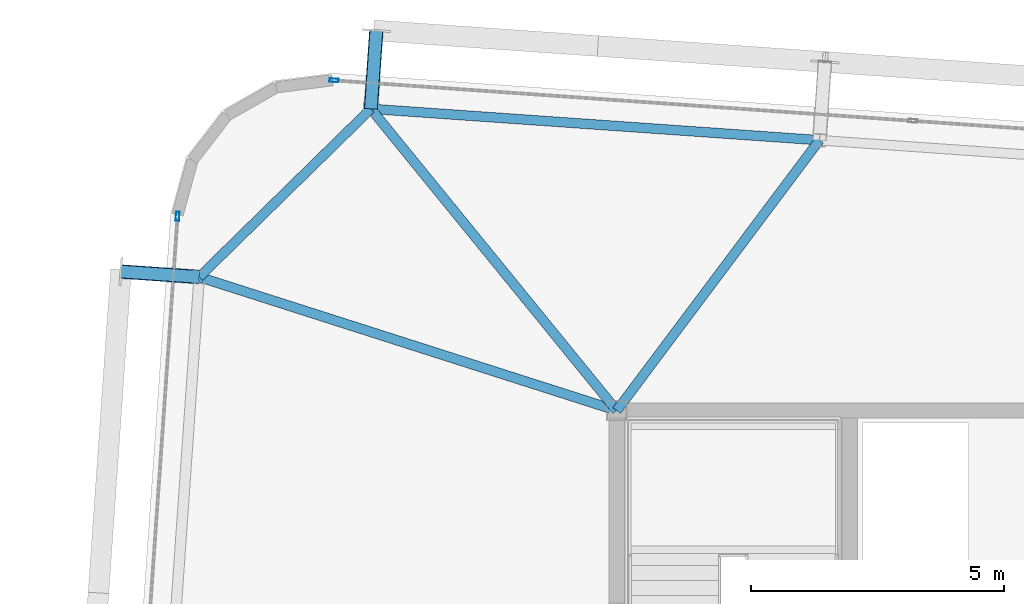
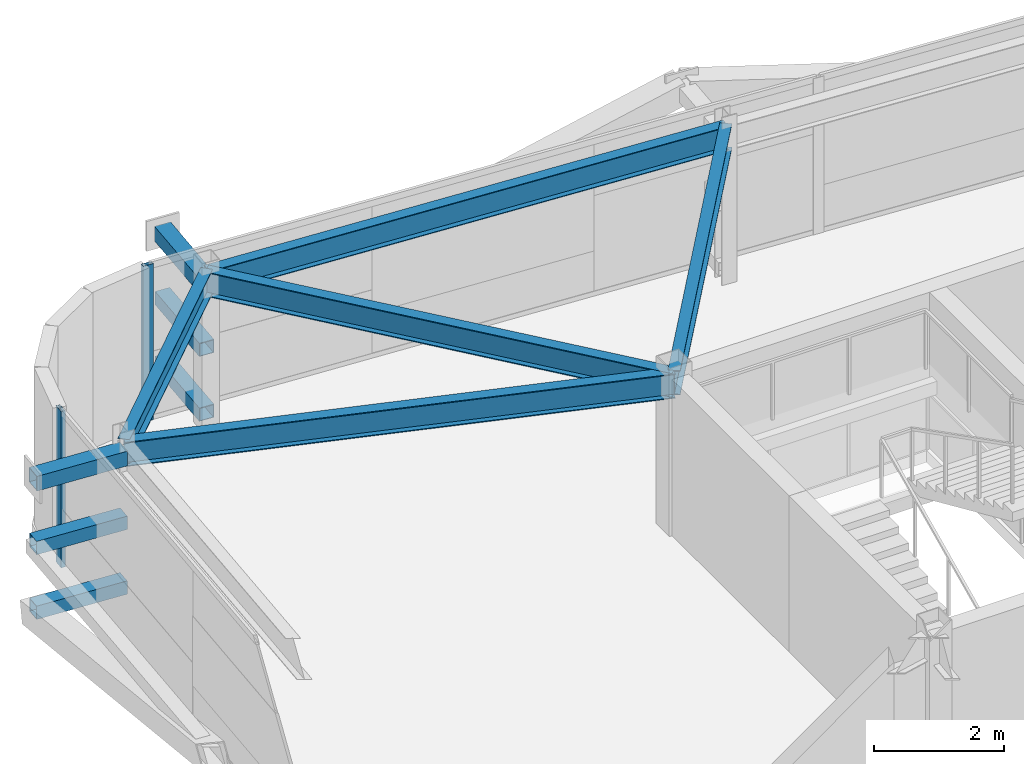
# One storey, part 19 of 39: 8 members, 5 beams, 2 elements without a shape of their own.
"""IFC4 building model written with IfcOpenShell, lengths in metres."""

import ifcopenshell
import ifcopenshell.guid

model = None  # the IFC model being written
_history = None  # IfcOwnerHistory: only IFC2X3 demands one
_inside = {}  # id of a spatial element -> (the spatial element, [elements in it])
_under = {}  # id of a project, library or spatial element -> (it, [spatial elements below it])
_declared = {}  # id of a project -> (the project, [libraries it declares])
_typed = {}  # id of a type object -> (the type object, [elements of that type])
_made_of = {}  # id of a material, layer set ... -> (it, [elements and type objects made of it])


def new_model(schema):
    """Start an empty IFC model of exactly this schema.

    Asked for "IFC4X3", IfcOpenShell would pick the latest addendum, in which some entities
    have other attributes; the version numbers below select the first issue.
    IFC2X3 requires an IfcOwnerHistory on every rooted entity: one is made here for all.
    """
    global model, _history
    if schema == "IFC4X3":
        model = ifcopenshell.file(schema_version=(4, 3, 0, 0))
    else:
        model = ifcopenshell.file(schema=schema)
    _inside.clear()
    _under.clear()
    _declared.clear()
    _typed.clear()
    _made_of.clear()
    _history = None
    if model.schema == "IFC2X3":
        org = make("IfcOrganization", Name="unknown")
        user = make(
            "IfcPersonAndOrganization",
            ThePerson=make("IfcPerson", FamilyName="unknown"),
            TheOrganization=org,
        )
        app = make(
            "IfcApplication",
            ApplicationDeveloper=org,
            Version="unknown",
            ApplicationFullName="unknown",
            ApplicationIdentifier="unknown",
        )
        _history = make(
            "IfcOwnerHistory",
            OwningUser=user,
            OwningApplication=app,
            ChangeAction="ADDED",
            CreationDate=0,
        )
    return model


def make(cls, **values):
    """One entity of the class cls with the attributes given. An attribute that is None is left unset."""
    return model.create_entity(
        cls, **{name: value for name, value in values.items() if value is not None}
    )


def rooted(cls, **values):
    """An entity with a GlobalId (a new one), such as an element, a storey or a relation."""
    return make(cls, GlobalId=ifcopenshell.guid.new(), OwnerHistory=_history, **values)


def si_unit(unit_type, name, prefix=None):
    """IfcSIUnit, for example si_unit("LENGTHUNIT", "METRE", prefix="MILLI")."""
    return make("IfcSIUnit", UnitType=unit_type, Prefix=prefix, Name=name)


def assignment(units):
    """IfcUnitAssignment: the units of a project."""
    return None if units is None else make("IfcUnitAssignment", Units=units)


def point(xyz):
    """IfcCartesianPoint."""
    return None if xyz is None else make("IfcCartesianPoint", Coordinates=xyz)


def direction(xyz):
    """IfcDirection."""
    return None if xyz is None else make("IfcDirection", DirectionRatios=xyz)


def frame(location, z_axis=None, x_axis=None):
    """IfcAxis2Placement3D, a coordinate frame: its origin and axes. An axis left out is left unset."""
    return make(
        "IfcAxis2Placement3D",
        Location=point(location),
        Axis=direction(z_axis),
        RefDirection=direction(x_axis),
    )


def frame_2d(location, x_axis=None):
    """IfcAxis2Placement2D, a coordinate frame in the plane: its origin and x axis."""
    return make(
        "IfcAxis2Placement2D", Location=point(location), RefDirection=direction(x_axis)
    )


def origin():
    """The frame at (0, 0, 0) with its axes left unset."""
    return frame((0.0, 0.0, 0.0))


def origin_2d():
    """The frame at (0, 0) in the plane with its x axis left unset."""
    return frame_2d((0.0, 0.0))


def place(relative_to, where):
    """IfcLocalPlacement: puts the frame where relative to a parent placement (None: the world)."""
    return make(
        "IfcLocalPlacement", PlacementRelTo=relative_to, RelativePlacement=where
    )


def context(
    kind, dimensions, precision=None, world=None, true_north=None, identifier=None
):
    """IfcGeometricRepresentationContext, for example the 3D "Model" context."""
    return make(
        "IfcGeometricRepresentationContext",
        ContextIdentifier=identifier,
        ContextType=kind,
        CoordinateSpaceDimension=dimensions,
        Precision=precision,
        WorldCoordinateSystem=world,
        TrueNorth=true_north,
    )


def subcontext(parent, identifier, kind, view, scale=None):
    """IfcGeometricRepresentationSubContext, for example "Body" below "Model"."""
    return make(
        "IfcGeometricRepresentationSubContext",
        ContextIdentifier=identifier,
        ContextType=kind,
        ParentContext=parent,
        TargetScale=scale,
        TargetView=view,
    )


def project(units=None, contexts=None):
    """IfcProject with its units and contexts."""
    return rooted(
        "IfcProject",
        Name="project",
        RepresentationContexts=contexts,
        UnitsInContext=assignment(units),
    )


def spatial(cls, under=None, at=None, **own):
    """A site, building, storey or space (cls), placed at a placement, below another one or the project."""
    s = rooted(cls, ObjectPlacement=at, **own)
    if under is not None:
        _under.setdefault(under.id(), (under, []))[1].append(s)
    return s


def profile(cls, at=None, kind="AREA", **sizes):
    """A parametric profile (cls). Its sizes go by their IFC names, for example OverallWidth=200.0."""
    return make(cls, ProfileType=kind, Position=at, **sizes)


def hollow_rectangle(**sizes):
    """IfcRectangleHollowProfileDef."""
    return profile("IfcRectangleHollowProfileDef", **sizes)


def i_section(**sizes):
    """IfcIShapeProfileDef."""
    return profile("IfcIShapeProfileDef", **sizes)


def extrude(swept, where, along, depth):
    """IfcExtrudedAreaSolid: the profile swept, set in the frame where, extruded along a direction by depth."""
    return make(
        "IfcExtrudedAreaSolid",
        SweptArea=swept,
        Position=where,
        ExtrudedDirection=direction(along),
        Depth=depth,
    )


def shape(context_of_items, identifier, shape_type, items):
    """IfcShapeRepresentation: the items that make up one representation, for example the "Body"."""
    return make(
        "IfcShapeRepresentation",
        ContextOfItems=context_of_items,
        RepresentationIdentifier=identifier,
        RepresentationType=shape_type,
        Items=items,
    )


def source(mapping_origin, context_of_items, identifier, shape_type, items):
    """IfcRepresentationMap: a shape defined once, which mapped items show again and again."""
    return make(
        "IfcRepresentationMap",
        MappingOrigin=mapping_origin,
        MappedRepresentation=shape(context_of_items, identifier, shape_type, items),
    )


def transform(
    local_origin,
    x_axis=None,
    y_axis=None,
    z_axis=None,
    scale=None,
    scale2=None,
    scale3=None,
    uniform=True,
):
    """IfcCartesianTransformationOperator3D, or its non-uniform kind. x_axis, y_axis, z_axis: its Axis1, 2, 3."""
    if uniform:
        return make(
            "IfcCartesianTransformationOperator3D",
            Axis1=direction(x_axis),
            Axis2=direction(y_axis),
            LocalOrigin=point(local_origin),
            Scale=scale,
            Axis3=direction(z_axis),
        )
    return make(
        "IfcCartesianTransformationOperator3DnonUniform",
        Axis1=direction(x_axis),
        Axis2=direction(y_axis),
        LocalOrigin=point(local_origin),
        Scale=scale,
        Axis3=direction(z_axis),
        Scale2=scale2,
        Scale3=scale3,
    )


def mapped(mapping_source, mapping_target):
    """IfcMappedItem: shows the shape of a source again, moved by a transform."""
    return make(
        "IfcMappedItem", MappingSource=mapping_source, MappingTarget=mapping_target
    )


def material(Name=None, Category=None):
    """IfcMaterial."""
    return make("IfcMaterial", Name=Name, Category=Category)


def layer(
    of_material, thickness, ventilated=None, Name=None, Category=None, Priority=None
):
    """IfcMaterialLayer: one layer of a wall or slab, of a material (None: an air gap)."""
    return make(
        "IfcMaterialLayer",
        Material=of_material,
        LayerThickness=thickness,
        IsVentilated=ventilated,
        Name=Name,
        Category=Category,
        Priority=Priority,
    )


def layer_set(layers, Name=None):
    """IfcMaterialLayerSet."""
    return make("IfcMaterialLayerSet", MaterialLayers=layers, LayerSetName=Name)


def material_profile(
    of_material, cross_section, Name=None, Category=None, Priority=None
):
    """IfcMaterialProfile: a cross section and its material."""
    return make(
        "IfcMaterialProfile",
        Name=Name,
        Material=of_material,
        Profile=cross_section,
        Priority=Priority,
        Category=Category,
    )


def profile_set(profiles, Name=None, composite=None):
    """IfcMaterialProfileSet."""
    return make(
        "IfcMaterialProfileSet",
        Name=Name,
        MaterialProfiles=profiles,
        CompositeProfile=composite,
    )


def made_of(thing, what):
    """Note that an element or type object is made of a material, layer set ...; save() writes the relation."""
    if what is not None:
        _made_of.setdefault(what.id(), (what, []))[1].append(thing)
    return thing


def type_object(cls, material=None, **own):
    """A type object (cls), such as IfcWallType, which elements share."""
    return made_of(rooted(cls, **own), material)


def element(
    cls,
    number,
    at=None,
    inside=None,
    cuts=None,
    type_object=None,
    material=None,
    context=None,
    identifier="Body",
    shape_type=None,
    held_by="IfcProductDefinitionShape",
    body=None,
    shapes=None,
    **own,
):
    """One element of the class cls, such as IfcWall. Its Tag is "e" and its number.

    at: its placement. inside: the storey or other place that contains it. cuts: it is an
    opening in that element (IfcRelVoidsElement). A single representation is given by context,
    identifier, shape_type and body (its items); several are given by shapes. held_by: the class
    of the entity that holds the representations. save() writes the other relations.
    """
    e = rooted(cls, Tag="e%d" % number, ObjectPlacement=at, **own)
    if body is not None:
        shapes = [shape(context, identifier, shape_type, body)]
    if shapes is not None:
        e.Representation = make(held_by, Representations=shapes)
    if inside is not None:
        _inside.setdefault(inside.id(), (inside, []))[1].append(e)
    if cuts is not None:
        rooted(
            "IfcRelVoidsElement", RelatingBuildingElement=cuts, RelatedOpeningElement=e
        )
    if type_object is not None:
        _typed.setdefault(type_object.id(), (type_object, []))[1].append(e)
    return made_of(e, material)


def aggregate(whole, parts):
    """IfcRelAggregates: a whole, such as a stair, and the parts it consists of."""
    return rooted("IfcRelAggregates", RelatingObject=whole, RelatedObjects=parts)


def save(model, path):
    """Write the relations noted so far, then the file.

    IfcRelAggregates (storeys below a building ...), IfcRelContainedInSpatialStructure (elements
    in a storey), IfcRelDefinesByType, IfcRelAssociatesMaterial and IfcRelDeclares: one each for
    every whole, place, type object, material and project.
    """
    for whole, parts in _under.values():
        aggregate(whole, parts)
    for where, things in _inside.values():
        rooted(
            "IfcRelContainedInSpatialStructure",
            RelatedElements=things,
            RelatingStructure=where,
        )
    for kind, things in _typed.values():
        rooted("IfcRelDefinesByType", RelatedObjects=things, RelatingType=kind)
    for what, things in _made_of.values():
        rooted("IfcRelAssociatesMaterial", RelatedObjects=things, RelatingMaterial=what)
    for by, libraries in _declared.values():
        rooted("IfcRelDeclares", RelatingContext=by, RelatedDefinitions=libraries)
    model.write(path)


model = new_model("IFC4")

# Units and contexts
model_context = context("Model", 3, precision=1e-05, world=origin(), true_north=direction((0.0, 1.0)))
body_context = subcontext(model_context, "Body", "Model", "MODEL_VIEW")
ifc_project = project(units=[si_unit("LENGTHUNIT", "METRE"), si_unit("AREAUNIT", "SQUARE_METRE"), si_unit("VOLUMEUNIT", "CUBIC_METRE"), si_unit("PLANEANGLEUNIT", "RADIAN"), si_unit("MASSUNIT", "GRAM", prefix="KILO")], contexts=[model_context])

# Site, building, storey
site_placement = place(None, origin())
site = spatial("IfcSite", under=ifc_project, at=site_placement, CompositionType="ELEMENT")
building_placement = place(site_placement, origin())
building = spatial("IfcBuilding", under=site, at=building_placement, Name="Taldren Reach Tower", CompositionType="ELEMENT")
storey_placement = place(building_placement, frame((0.0, 0.0, 133.0)))
storey = spatial("IfcBuildingStorey", under=building, at=storey_placement, Name="L40", CompositionType="ELEMENT", Elevation=133.0)

# Members
ifc_material_1 = material(Name="Steel Gr 450 (C450L0)", Category="steel")
ifc_material_profile_1 = material_profile(ifc_material_1, hollow_rectangle(XDim=0.27490234375, YDim=0.27490234375, WallThickness=0.00927734375, at=origin_2d()), Name="275x275x9.3SHS")
ifc_profile_set_1 = profile_set([ifc_material_profile_1], Name="Steel Gr 450 (C450L0)")
member_type_1 = type_object("IfcMemberType", Name="MB-TIE273", PredefinedType="STRUT", material=ifc_profile_set_1)
shared_shape_1 = source(origin(), body_context, "Body", "SweptSolid", [
    extrude(hollow_rectangle(XDim=0.27490234375, YDim=0.27490234375, WallThickness=0.00927734375, at=origin_2d()), origin(), (0.0, 0.0, 1.0), 1.5498046875),
])
for number, where, z_axis, x_axis, name in (
    (1, (14.14453125, 37.958740234375, 2.64990234375), (0.069780535098, 0.997562367434, 0.0), (-0.997562367434, 0.069780535098, 0.0), "Exoskeleton diaphragm tie strut B3-N1 L40"),
    (2, (10.754638671875, 34.63720703125, 2.64990234375), (-0.997562367434, 0.069780535098, 0.0), (-0.069780535098, -0.997562367434, 0.0), "Exoskeleton diaphragm tie strut B3-W3 L40"),
):
    element("IfcMember", number, at=place(storey_placement, frame(where, z_axis=z_axis, x_axis=x_axis)), inside=storey, type_object=member_type_1, Name=name, PredefinedType="STRUT", context=body_context, shape_type="MappedRepresentation", body=[
        mapped(shared_shape_1, transform((0.0, 0.0, 0.0), scale=1.0)),
    ])
ifc_material_2 = material(Name="Steel Gr 350 (C350L0)", Category="steel")
ifc_material_profile_2 = material_profile(ifc_material_2, hollow_rectangle(XDim=0.25, YDim=0.25, WallThickness=0.010009765625, at=origin_2d()), Name="250x250x10.0SHS")
ifc_profile_set_2 = profile_set([ifc_material_profile_2], Name="Steel Gr 350 (C350L0)")
member_type_2 = type_object("IfcMemberType", Name="MB-POST250", PredefinedType="POST", material=ifc_profile_set_2)
shared_shape_2 = source(origin(), body_context, "Body", "SweptSolid", [
    extrude(hollow_rectangle(XDim=0.25, YDim=0.25, WallThickness=0.010009765625, at=origin_2d()), origin(), (0.0, 0.0, 1.0), 1.5498046875),
])
for number, where, z_axis, x_axis, name in (
    (3, (14.14453125, 37.958740234375, 0.219970703125), (0.069780535098, 0.997562367434, 0.0), (-0.997562367434, 0.069780535098, 0.0), "Exoskeleton base diaphragm tie strut B3-N1 L40"),
    (4, (10.754638671875, 34.63720703125, 0.219970703125), (-0.997562367434, 0.069780535098, 0.0), (-0.069780535098, -0.997562367434, 0.0), "Exoskeleton base diaphragm tie strut B3-W3 L40"),
    (5, (14.14453125, 37.958740234375, 1.43505859375), (0.069780535098, 0.997562367434, 0.0), (-0.997562367434, 0.069780535098, 0.0), "Exoskeleton mid-tier diaphragm tie B3-N1 L40"),
    (6, (10.754638671875, 34.63720703125, 1.43505859375), (-0.997562367434, 0.069780535098, 0.0), (-0.069780535098, -0.997562367434, 0.0), "Exoskeleton mid-tier diaphragm tie B3-W3 L40"),
):
    element("IfcMember", number, at=place(storey_placement, frame(where, z_axis=z_axis, x_axis=x_axis)), inside=storey, type_object=member_type_2, Name=name, PredefinedType="POST", context=body_context, shape_type="MappedRepresentation", body=[
        mapped(shared_shape_2, transform((0.0, 0.0, 0.0), scale=1.0)),
    ])

# Beams
ifc_material_3 = material(Name="Steel Gr 350 (350PLUS)", Category="steel")
ifc_material_profile_3 = material_profile(ifc_material_3, i_section(OverallWidth=0.18994140625, OverallDepth=0.4541015625, WebThickness=0.008544921875, FlangeThickness=0.0126953125, at=origin_2d()), Name="460UB67.1")
ifc_profile_set_3 = profile_set([ifc_material_profile_3], Name="Steel Gr 350 (350PLUS)")
beam_type_1 = type_object("IfcBeamType", Name="SP-UB460B", PredefinedType="SPANDREL", material=ifc_profile_set_3)
shared_shape_3 = source(origin(), body_context, "Body", "SweptSolid", [
    extrude(i_section(OverallWidth=0.18994140625, OverallDepth=0.4541015625, WebThickness=0.008544921875, FlangeThickness=0.0126953125, at=origin_2d()), origin(), (0.0, 0.0, 1.0), 8.880126953125),
])
beam_1_placement = place(storey_placement, frame((23.0029296875, 37.33935546875, 2.702880859375), z_axis=(-0.997564479639, 0.069750333063, 0.0), x_axis=(-0.069750333063, -0.997564479639, 0.0)))
element("IfcBeam", 7, at=beam_1_placement, inside=storey, type_object=beam_type_1, Name="Perimeter spandrel B3 N2-N1 L40", PredefinedType="SPANDREL", context=body_context, shape_type="MappedRepresentation", body=[
    mapped(shared_shape_3, transform((0.0, 0.0, 0.0), scale=1.0)),
])
shared_shape_4 = source(origin(), body_context, "Body", "SweptSolid", [
    extrude(i_section(OverallWidth=0.18994140625, OverallDepth=0.4541015625, WebThickness=0.008544921875, FlangeThickness=0.0126953125, at=origin_2d()), origin(), (0.0, 0.0, 1.0), 4.745849609375),
])
beam_2_placement = place(storey_placement, frame((14.14453125, 37.958740234375, 2.702880859375), z_axis=(-0.714271982806, -0.699868226581, 0.0), x_axis=(0.699868226581, -0.714271982806, 0.0)))
element("IfcBeam", 8, at=beam_2_placement, inside=storey, type_object=beam_type_1, Name="Perimeter spandrel B3 N1-W3 L40", PredefinedType="SPANDREL", context=body_context, shape_type="MappedRepresentation", body=[
    mapped(shared_shape_4, transform((0.0, 0.0, 0.0), scale=1.0)),
])
ifc_material_profile_4 = material_profile(ifc_material_3, i_section(OverallWidth=0.19091796875, OverallDepth=0.4599609375, WebThickness=0.010009765625, FlangeThickness=0.01611328125, at=origin_2d()), Name="460UB82.1")
ifc_profile_set_4 = profile_set([ifc_material_profile_4], Name="Steel Gr 350 (350PLUS)")
beam_type_2 = type_object("IfcBeamType", Name="BM-UB460A", PredefinedType="BEAM", material=ifc_profile_set_4)
shared_shape_5 = source(origin(), body_context, "Body", "SweptSolid", [
    extrude(i_section(OverallWidth=0.19091796875, OverallDepth=0.4599609375, WebThickness=0.010009765625, FlangeThickness=0.01611328125, at=origin_2d()), origin(), (0.0, 0.0, 1.0), 6.67333984375),
])
beam_3_placement = place(storey_placement, frame((19.0, 32.0, 2.699951171875), z_axis=(0.599847795508, 0.800114130749, 0.0), x_axis=(-0.800114130749, 0.599847795508, 0.0)))
element("IfcBeam", 9, at=beam_3_placement, inside=storey, type_object=beam_type_2, Name="Primary floor girder B3-N2 L40", PredefinedType="BEAM", context=body_context, shape_type="MappedRepresentation", body=[
    mapped(shared_shape_5, transform((0.0, 0.0, 0.0), scale=1.0)),
])
shared_shape_6 = source(origin(), body_context, "Body", "SweptSolid", [
    extrude(i_section(OverallWidth=0.19091796875, OverallDepth=0.4599609375, WebThickness=0.010009765625, FlangeThickness=0.01611328125, at=origin_2d()), origin(), (0.0, 0.0, 1.0), 7.6865234375),
])
beam_4_placement = place(storey_placement, frame((19.0, 32.0, 2.699951171875), z_axis=(-0.631688504871, 0.775222311866, 0.0), x_axis=(-0.775222311866, -0.631688504871, 0.0)))
element("IfcBeam", 10, at=beam_4_placement, inside=storey, type_object=beam_type_2, Name="Primary floor girder B3-N1 L40", PredefinedType="BEAM", context=body_context, shape_type="MappedRepresentation", body=[
    mapped(shared_shape_6, transform((0.0, 0.0, 0.0), scale=1.0)),
])
shared_shape_7 = source(origin(), body_context, "Body", "SweptSolid", [
    extrude(i_section(OverallWidth=0.19091796875, OverallDepth=0.4599609375, WebThickness=0.010009765625, FlangeThickness=0.01611328125, at=origin_2d()), origin(), (0.0, 0.0, 1.0), 8.65673828125),
])
beam_5_placement = place(storey_placement, frame((19.0, 32.0, 2.699951171875), z_axis=(-0.952468016288, 0.304638602195, 0.0), x_axis=(-0.304638602195, -0.952468016288, 0.0)))
element("IfcBeam", 11, at=beam_5_placement, inside=storey, type_object=beam_type_2, Name="Primary floor girder B3-W3 L40", PredefinedType="BEAM", context=body_context, shape_type="MappedRepresentation", body=[
    mapped(shared_shape_7, transform((0.0, 0.0, 0.0), scale=1.0)),
])

# Curtain wall, member
ifc_material_4 = material(Name="Aluminium and Low-E Glass Unitised System", Category="aluminium")
ifc_layer = layer(ifc_material_4, 0.159912109375)
ifc_layer_set = layer_set([ifc_layer], Name="Aluminium and Low-E Glass Unitised System")
curtain_wall_type = type_object("IfcCurtainWallType", Name="CW-SYS-4", PredefinedType="NOTDEFINED", material=ifc_layer_set)
curtain_wall_1_placement = place(storey_placement, origin())
curtain_wall_1 = element("IfcCurtainWall", 12, at=curtain_wall_1_placement, inside=storey, type_object=curtain_wall_type, Name="Unitised curtain wall CW-L40-N", PredefinedType="NOTDEFINED")
ifc_material_5 = material(Name="Anodised Aluminium 6063-T6", Category="aluminium")
ifc_material_profile_5 = material_profile(ifc_material_5, hollow_rectangle(XDim=0.070068359375, YDim=0.179931640625, WallThickness=0.00390625, at=origin_2d()), Name="ALU-180x70x4RHS")
ifc_profile_set_5 = profile_set([ifc_material_profile_5], Name="Anodised Aluminium 6063-T6")
member_type_3 = type_object("IfcMemberType", Name="CW-MUL-180", PredefinedType="MULLION", material=ifc_profile_set_5)
shared_shape_8 = source(origin(), body_context, "Body", "SweptSolid", [
    extrude(hollow_rectangle(XDim=0.070068359375, YDim=0.179931640625, WallThickness=0.00390625, at=origin_2d()), origin(), (0.0, 0.0, 1.0), 2.929931640625),
])
member_1_placement = place(storey_placement, frame((13.4169921875, 38.52099609375, 0.0), z_axis=(0.0, 0.0, 1.0), x_axis=(-0.06975651593, -0.99756404731, 0.0)))
member_1 = element("IfcMember", 13, at=member_1_placement, type_object=member_type_3, Name="CW-4 mullion 5", PredefinedType="MULLION", context=body_context, shape_type="MappedRepresentation", body=[
    mapped(shared_shape_8, transform((0.0, 0.0, 0.0), scale=1.0)),
])
aggregate(curtain_wall_1, [member_1])

curtain_wall_2_placement = place(storey_placement, origin())
curtain_wall_2 = element("IfcCurtainWall", 14, at=curtain_wall_2_placement, inside=storey, type_object=curtain_wall_type, Name="Unitised curtain wall CW-L40-W", PredefinedType="NOTDEFINED")
member_2_placement = place(storey_placement, frame((10.3271484375, 35.8349609375, 0.0), z_axis=(0.0, 0.0, 1.0), x_axis=(0.997564052812, -0.069756437251, 0.0)))
member_2 = element("IfcMember", 15, at=member_2_placement, type_object=member_type_3, Name="CW-4 mullion 1", PredefinedType="MULLION", context=body_context, shape_type="MappedRepresentation", body=[
    mapped(shared_shape_8, transform((0.0, 0.0, 0.0), scale=1.0)),
])
aggregate(curtain_wall_2, [member_2])

save(model, "model.ifc")
